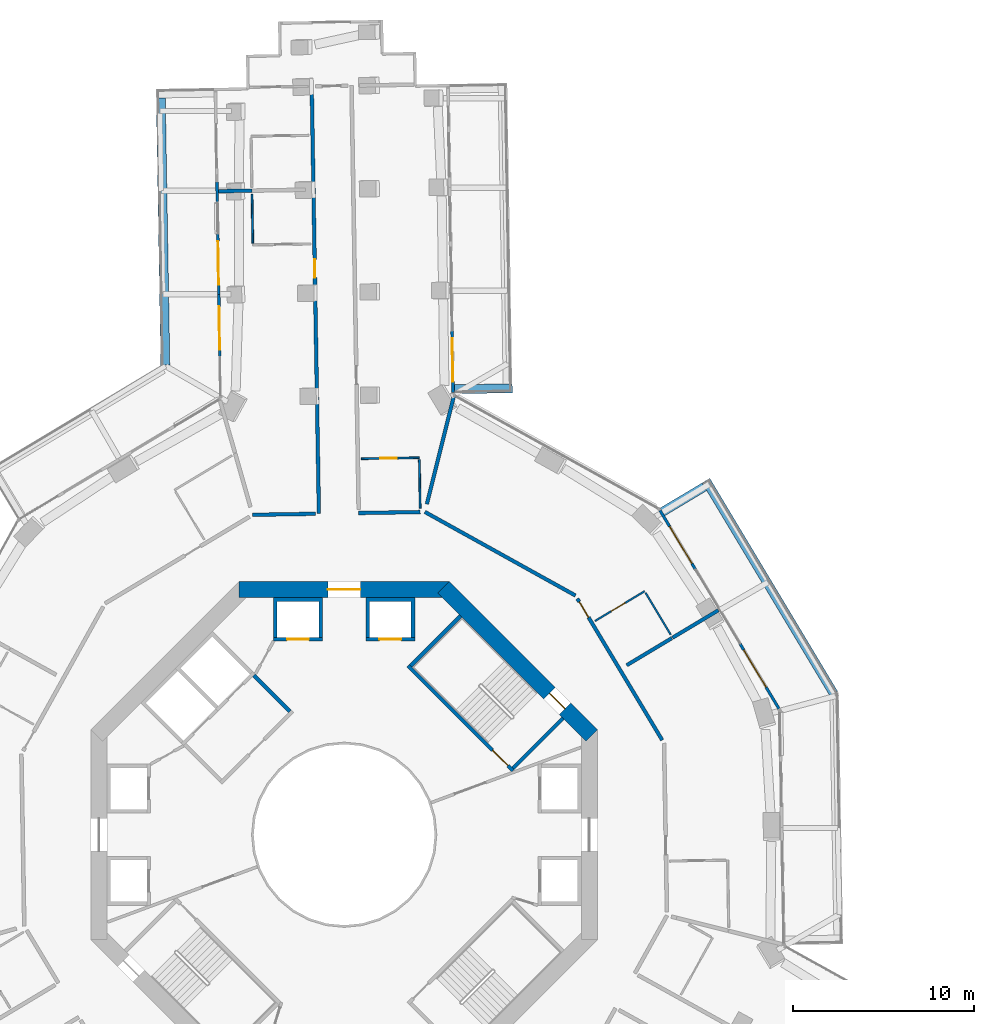
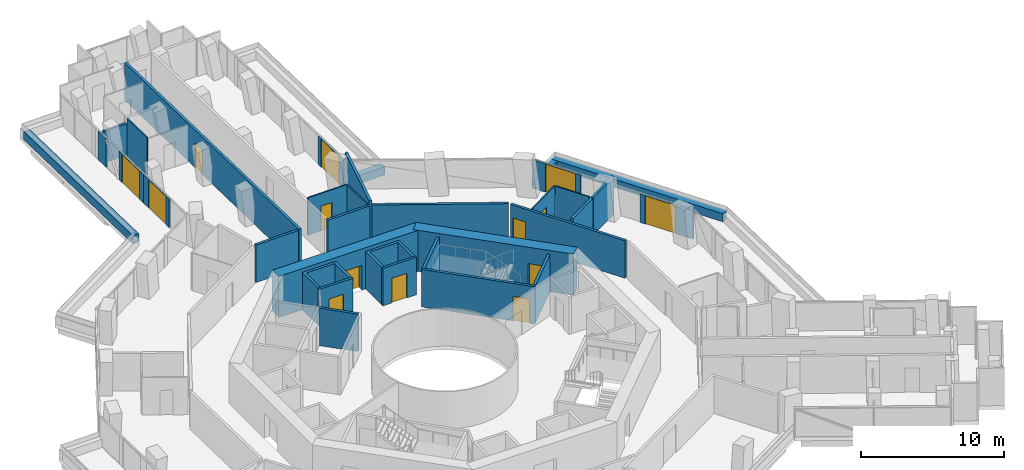
# One storey, part 21 of 25: 34 walls, 14 doors, 14 openings.
"""IFC4 building model written with IfcOpenShell, lengths in metres."""

from ifc_helpers import new_model, si_unit, direction, frame, frame_2d, origin, place, context, subcontext, project, spatial, polyline, rectangle, outline, extrude, material, layer, layer_set, type_object, element, fill, save


model = new_model("IFC4")

# Units and contexts
model_context = context("Model", 3, precision=1e-05, world=origin(), true_north=direction((0.0, 1.0)))
body_context = subcontext(model_context, "Body", "Model", "MODEL_VIEW")
ifc_project = project(units=[si_unit("LENGTHUNIT", "METRE"), si_unit("AREAUNIT", "SQUARE_METRE"), si_unit("VOLUMEUNIT", "CUBIC_METRE"), si_unit("PLANEANGLEUNIT", "RADIAN"), si_unit("MASSUNIT", "GRAM", prefix="KILO")], contexts=[model_context])

# Site, building, storey
site_placement = place(None, origin())
site = spatial("IfcSite", under=ifc_project, at=site_placement, CompositionType="ELEMENT")
building_placement = place(site_placement, origin())
building = spatial("IfcBuilding", under=site, at=building_placement, Name="Verdalira Terraces Hotel", CompositionType="ELEMENT")
storey_placement = place(building_placement, frame((0.0, 0.0, 39.0)))
storey = spatial("IfcBuildingStorey", under=building, at=storey_placement, Name="L07", CompositionType="ELEMENT", Elevation=39.0)

# Walls
ifc_material_1 = material(Name="Concrete C40", Category="concrete")
ifc_layer_1 = layer(ifc_material_1, 0.5)
ifc_layer_set_1 = layer_set([ifc_layer_1], Name="Balcony planter trough with tree")
wall_type_1 = type_object("IfcWallType", Name="Balcony planter trough with tree", PredefinedType="SOLIDWALL", material=ifc_layer_set_1)
wall_1_placement = place(storey_placement, frame((-10.133545, 40.711182, 0.0), z_axis=(0.0, 0.0, 1.0), x_axis=(0.016761578, -0.999859515, 0.0)))
element("IfcWall", 1, at=wall_1_placement, inside=storey, type_object=wall_type_1, Name="Balcony planter", PredefinedType="SOLIDWALL", context=body_context, shape_type="SweptSolid", body=[
    extrude(rectangle(XDim=14.769287, YDim=0.5, at=frame_2d((7.384766, 0.0))), origin(), (0.0, 0.0, 1.0), 0.699951),
])
wall_2_placement = place(storey_placement, frame((27.047852, 7.802734, 0.0), z_axis=(0.0, 0.0, 1.0), x_axis=(-0.514432966, 0.857530596, 0.0)))
element("IfcWall", 2, at=wall_2_placement, inside=storey, type_object=wall_type_1, Name="Balcony planter", PredefinedType="SOLIDWALL", context=body_context, shape_type="SweptSolid", body=[
    extrude(rectangle(XDim=13.723389, YDim=0.5, at=frame_2d((6.861816, 0.0))), origin(), (0.0, 0.0, 1.0), 0.699951),
])
wall_3_placement = place(storey_placement, frame((19.902344, 19.228027, 0.0), z_axis=(0.0, 0.0, 1.0), x_axis=(-0.857532831, -0.514429241, 0.0)))
element("IfcWall", 3, at=wall_3_placement, inside=storey, type_object=wall_type_1, Name="Balcony planter", PredefinedType="SOLIDWALL", context=body_context, shape_type="SweptSolid", body=[
    extrude(rectangle(XDim=2.698975, YDim=0.5, at=frame_2d((1.349609, 0.0))), origin(), (0.0, 0.0, 1.0), 0.699951),
])
wall_4_placement = place(storey_placement, frame((6.089355, 24.61377, 0.0), z_axis=(0.0, 0.0, 1.0), x_axis=(0.999859055, 0.016788963, 0.0)))
element("IfcWall", 4, at=wall_4_placement, inside=storey, type_object=wall_type_1, Name="Balcony planter", PredefinedType="SOLIDWALL", context=body_context, shape_type="SweptSolid", body=[
    extrude(rectangle(XDim=3.199219, YDim=0.5, at=frame_2d((1.599609, 0.0))), origin(), (0.0, 0.0, 1.0), 0.699951),
])
ifc_material_2 = material(Name="Moisture-resistant gypsum board partition")
ifc_layer_2 = layer(ifc_material_2, 0.10009765625)
ifc_layer_set_2 = layer_set([ifc_layer_2], Name="Bathroom partition 100 mm")
wall_type_2 = type_object("IfcWallType", Name="Bathroom partition 100 mm", PredefinedType="PARTITIONING", material=ifc_layer_set_2)
wall_5_placement = place(storey_placement, frame((-5.04834, 32.689697, 0.0), z_axis=(0.0, 0.0, 1.0), x_axis=(-0.016729141, 0.999860058, 0.0)))
element("IfcWall", 5, at=wall_5_placement, inside=storey, type_object=wall_type_2, Name="Bathroom partition", PredefinedType="PARTITIONING", context=body_context, shape_type="SweptSolid", body=[
    extrude(rectangle(XDim=2.699951, YDim=0.100098, at=frame_2d((1.350098, 0.0))), origin(), (0.0, 0.0, 1.0), 3.189941),
])

# Wall, opening, door
wall_6_placement = place(storey_placement, frame((4.151611, 20.830811, 0.0), z_axis=(0.0, 0.0, 1.0), x_axis=(-0.999859141, -0.01678384, 0.0)))
wall_6 = element("IfcWall", 6, at=wall_6_placement, inside=storey, type_object=wall_type_2, Name="Bathroom partition", PredefinedType="PARTITIONING", context=body_context, shape_type="SweptSolid", body=[
    extrude(rectangle(XDim=3.200195, YDim=0.100098, at=frame_2d((1.600098, 0.0))), origin(), (0.0, 0.0, 1.0), 3.189941),
])
opening_1_placement = place(wall_6_placement, frame((1.25, 0.0, 0.0)))
opening_1 = element("IfcOpeningElement", 7, at=opening_1_placement, cuts=wall_6, Name="Opening L07-102", PredefinedType="OPENING", context=body_context, shape_type="SweptSolid", body=[
    extrude(rectangle(XDim=0.899902, YDim=2.100098, at=frame_2d((0.449951, 1.050049))), frame((0.0, 0.060059, 0.0), z_axis=(0.0, -1.0, 0.0), x_axis=(1.0, 0.0, 0.0)), (0.0, 0.0, 1.0), 0.120117),
])
ifc_material_3 = material(Name="Timber door", Category="wood")
door_type_1 = type_object("IfcDoorType", Name="Bathroom door 900 x 2100", OperationType="NOTDEFINED", PredefinedType="DOOR", material=ifc_material_3)
door_1_placement = place(opening_1_placement, origin())
door_1 = element("IfcDoor", 8, at=door_1_placement, inside=storey, type_object=door_type_1, Name="Bathroom door 0701", OperationType="SINGLE_SWING_LEFT", OverallHeight=2.10009765625, OverallWidth=0.89990234375, PredefinedType="DOOR", context=body_context, shape_type="SweptSolid", body=[
    extrude(rectangle(XDim=0.899902, YDim=2.100098, at=frame_2d((0.449951, 1.050049))), frame((0.0, 0.024902, 0.0), z_axis=(0.0, -1.0, 0.0), x_axis=(1.0, 0.0, 0.0)), (0.0, 0.0, 1.0), 0.050049),
])
fill(opening_1, door_1)

# Wall
wall_7_placement = place(storey_placement, frame((4.15332, 20.730713, 0.0), z_axis=(0.0, 0.0, 1.0), x_axis=(0.016729141, -0.999860058, 0.0)))
element("IfcWall", 9, at=wall_7_placement, inside=storey, type_object=wall_type_2, Name="Bathroom partition", PredefinedType="PARTITIONING", context=body_context, shape_type="SweptSolid", body=[
    extrude(rectangle(XDim=2.699951, YDim=0.100098, at=frame_2d((1.350098, 0.0))), origin(), (0.0, 0.0, 1.0), 3.189941),
])

# Wall, opening, door
wall_8_placement = place(storey_placement, frame((16.600586, 13.457275, 0.0), z_axis=(0.0, 0.0, 1.0), x_axis=(-0.857526582, -0.514439657, 0.0)))
wall_8 = element("IfcWall", 10, at=wall_8_placement, inside=storey, type_object=wall_type_2, Name="Bathroom partition", PredefinedType="PARTITIONING", context=body_context, shape_type="SweptSolid", body=[
    extrude(rectangle(XDim=3.199951, YDim=0.100098, at=frame_2d((1.600098, 0.0))), origin(), (0.0, 0.0, 1.0), 3.189941),
])
opening_2_placement = place(wall_8_placement, frame((1.25, 0.0, 0.0)))
opening_2 = element("IfcOpeningElement", 11, at=opening_2_placement, cuts=wall_8, Name="Opening L07-132", PredefinedType="OPENING", context=body_context, shape_type="SweptSolid", body=[
    extrude(rectangle(XDim=0.899902, YDim=2.100098, at=frame_2d((0.449951, 1.050049))), frame((0.0, 0.060059, 0.0), z_axis=(0.0, -1.0, 0.0), x_axis=(1.0, 0.0, 0.0)), (0.0, 0.0, 1.0), 0.120117),
])
door_2_placement = place(opening_2_placement, origin())
door_2 = element("IfcDoor", 12, at=door_2_placement, inside=storey, type_object=door_type_1, Name="Bathroom door 0715", OperationType="SINGLE_SWING_LEFT", OverallHeight=2.10009765625, OverallWidth=0.89990234375, PredefinedType="DOOR", context=body_context, shape_type="SweptSolid", body=[
    extrude(rectangle(XDim=0.899902, YDim=2.100098, at=frame_2d((0.449951, 1.050049))), frame((0.0, 0.024902, 0.0), z_axis=(0.0, -1.0, 0.0), x_axis=(1.0, 0.0, 0.0)), (0.0, 0.0, 1.0), 0.050049),
])
fill(opening_2, door_2)

# Walls
wall_9_placement = place(storey_placement, frame((16.6521, 13.371582, 0.0), z_axis=(0.0, 0.0, 1.0), x_axis=(0.514402672, -0.857548769, 0.0)))
element("IfcWall", 13, at=wall_9_placement, inside=storey, type_object=wall_type_2, Name="Bathroom partition", PredefinedType="PARTITIONING", context=body_context, shape_type="SweptSolid", body=[
    extrude(rectangle(XDim=2.699951, YDim=0.100098, at=frame_2d((1.350098, 0.0))), origin(), (0.0, 0.0, 1.0), 3.189941),
])
ifc_material_4 = material(Name="Concrete C50", Category="concrete")
ifc_layer_3 = layer(ifc_material_4, 0.199951171875)
ifc_layer_set_3 = layer_set([ifc_layer_3], Name="Core RC wall 200 C50")
wall_type_3 = type_object("IfcWallType", Name="Core RC wall 200 C50", PredefinedType="SOLIDWALL", material=ifc_layer_set_3)
wall_10_placement = place(storey_placement, origin())
element("IfcWall", 14, at=wall_10_placement, inside=storey, type_object=wall_type_3, Name="L07 shaft wall N1", PredefinedType="SOLIDWALL", context=body_context, shape_type="SweptSolid", body=[
    extrude(outline(polyline([(3.899902, 13.100098), (3.899902, 10.899902), (3.699951, 10.899902), (3.699951, 12.899902), (1.399902, 12.899902), (1.399902, 10.899902), (1.199951, 10.899902), (1.199951, 13.100098), (3.899902, 13.100098)])), origin(), (0.0, 0.0, 1.0), 3.189941),
])

# Wall, opening, door
wall_11_placement = place(storey_placement, frame((1.199951, 10.800049, 0.0), z_axis=(0.0, 0.0, 1.0), x_axis=(1.0, 0.0, 0.0)))
wall_11 = element("IfcWall", 15, at=wall_11_placement, inside=storey, type_object=wall_type_3, Name="L07 shaft front wall N1", PredefinedType="SOLIDWALL", context=body_context, shape_type="SweptSolid", body=[
    extrude(rectangle(XDim=2.699951, YDim=0.199951, at=frame_2d((1.350098, 0.0))), origin(), (0.0, 0.0, 1.0), 3.189941),
])
opening_3_placement = place(wall_11_placement, frame((0.75, 0.0, 0.0)))
opening_3 = element("IfcOpeningElement", 16, at=opening_3_placement, cuts=wall_11, Name="Opening LD-L07-803", PredefinedType="OPENING", context=body_context, shape_type="SweptSolid", body=[
    extrude(rectangle(XDim=1.199951, YDim=2.100098, at=frame_2d((0.600098, 1.050049))), frame((0.0, 0.109863, 0.0), z_axis=(0.0, -1.0, 0.0), x_axis=(1.0, 0.0, 0.0)), (0.0, 0.0, 1.0), 0.219971),
])
ifc_material_5 = material(Name="Stainless steel", Category="steel")
door_type_2 = type_object("IfcDoorType", Name="Landing door 1200 x 2100", OperationType="NOTDEFINED", PredefinedType="DOOR", material=ifc_material_5)
door_3_placement = place(opening_3_placement, origin())
door_3 = element("IfcDoor", 17, at=door_3_placement, inside=storey, type_object=door_type_2, Name="Lift landing door LR3 L07", OperationType="DOUBLE_DOOR_SLIDING", OverallHeight=2.10009765625, OverallWidth=1.199951171875, PredefinedType="DOOR", context=body_context, shape_type="SweptSolid", body=[
    extrude(rectangle(XDim=1.199951, YDim=2.100098, at=frame_2d((0.600098, 1.050049))), frame((0.0, 0.024902, 0.0), z_axis=(0.0, -1.0, 0.0), x_axis=(1.0, 0.0, 0.0)), (0.0, 0.0, 1.0), 0.050049),
])
fill(opening_3, door_3)

# Wall
wall_12_placement = place(storey_placement, origin())
element("IfcWall", 18, at=wall_12_placement, inside=storey, type_object=wall_type_3, Name="L07 shaft wall N2", PredefinedType="SOLIDWALL", context=body_context, shape_type="SweptSolid", body=[
    extrude(outline(polyline([(-3.899902, 10.899902), (-3.899902, 13.100098), (-1.199951, 13.100098), (-1.199951, 10.899902), (-1.399902, 10.899902), (-1.399902, 12.899902), (-3.699951, 12.899902), (-3.699951, 10.899902), (-3.899902, 10.899902)])), origin(), (0.0, 0.0, 1.0), 3.189941),
])

# Wall, opening, door
wall_13_placement = place(storey_placement, frame((-1.199951, 10.800049, 0.0), z_axis=(0.0, 0.0, 1.0), x_axis=(-1.0, 0.0, 0.0)))
wall_13 = element("IfcWall", 19, at=wall_13_placement, inside=storey, type_object=wall_type_3, Name="L07 shaft front wall N2", PredefinedType="SOLIDWALL", context=body_context, shape_type="SweptSolid", body=[
    extrude(rectangle(XDim=2.699951, YDim=0.199951, at=frame_2d((1.350098, 0.0))), origin(), (0.0, 0.0, 1.0), 3.189941),
])
opening_4_placement = place(wall_13_placement, frame((0.75, 0.0, 0.0)))
opening_4 = element("IfcOpeningElement", 20, at=opening_4_placement, cuts=wall_13, Name="Opening LD-L07-804", PredefinedType="OPENING", context=body_context, shape_type="SweptSolid", body=[
    extrude(rectangle(XDim=1.199951, YDim=2.100098, at=frame_2d((0.600098, 1.050049))), frame((0.0, 0.109863, 0.0), z_axis=(0.0, -1.0, 0.0), x_axis=(1.0, 0.0, 0.0)), (0.0, 0.0, 1.0), 0.219971),
])
door_4_placement = place(opening_4_placement, origin())
door_4 = element("IfcDoor", 21, at=door_4_placement, inside=storey, type_object=door_type_2, Name="Lift landing door LR4 L07", OperationType="DOUBLE_DOOR_SLIDING", OverallHeight=2.10009765625, OverallWidth=1.199951171875, PredefinedType="DOOR", context=body_context, shape_type="SweptSolid", body=[
    extrude(rectangle(XDim=1.199951, YDim=2.100098, at=frame_2d((0.600098, 1.050049))), frame((0.0, 0.024902, 0.0), z_axis=(0.0, -1.0, 0.0), x_axis=(1.0, 0.0, 0.0)), (0.0, 0.0, 1.0), 0.050049),
])
fill(opening_4, door_4)

wall_14_placement = place(storey_placement, frame((3.5354, 9.33374, 0.0), z_axis=(0.0, 0.0, 1.0), x_axis=(0.707106781, -0.707106781, 0.0)))
wall_14 = element("IfcWall", 22, at=wall_14_placement, inside=storey, type_object=wall_type_3, Name="L07 stair ST1 front wall", PredefinedType="SOLIDWALL", context=body_context, shape_type="SweptSolid", body=[
    extrude(rectangle(XDim=8.200195, YDim=0.199951, at=frame_2d((4.100098, 0.0))), origin(), (0.0, 0.0, 1.0), 3.189941),
])
opening_5_placement = place(wall_14_placement, frame((6.600098, 0.0, 0.0)))
opening_5 = element("IfcOpeningElement", 23, at=opening_5_placement, cuts=wall_14, Name="Opening L07-809", PredefinedType="OPENING", context=body_context, shape_type="SweptSolid", body=[
    extrude(rectangle(XDim=1.199951, YDim=2.100098, at=frame_2d((0.600098, 1.050049))), frame((0.0, 0.109863, 0.0), z_axis=(0.0, -1.0, 0.0), x_axis=(1.0, 0.0, 0.0)), (0.0, 0.0, 1.0), 0.219971),
])
ifc_material_6 = material(Name="Steel fire door", Category="steel")
door_type_3 = type_object("IfcDoorType", Name="Stair door 1200 x 2100", OperationType="NOTDEFINED", PredefinedType="DOOR", material=ifc_material_6)
door_5_placement = place(opening_5_placement, origin())
door_5 = element("IfcDoor", 24, at=door_5_placement, inside=storey, type_object=door_type_3, Name="Stair door ST1 L07", OperationType="SINGLE_SWING_RIGHT", OverallHeight=2.10009765625, OverallWidth=1.199951171875, PredefinedType="DOOR", context=body_context, shape_type="SweptSolid", body=[
    extrude(rectangle(XDim=1.199951, YDim=2.100098, at=frame_2d((0.600098, 1.050049))), frame((0.0, 0.024902, 0.0), z_axis=(0.0, -1.0, 0.0), x_axis=(1.0, 0.0, 0.0)), (0.0, 0.0, 1.0), 0.050049),
])
fill(opening_5, door_5)

# Walls
for number, where, z_axis, x_axis, name in (
    (25, (9.33374, 3.677002, 0.0), (0.0, 0.0, 1.0), (0.707106781, 0.707106781, 0.0), "L07 stair ST1 end wall 1"),
    (26, (3.677002, 9.33374, 0.0), (0.0, 0.0, 1.0), (0.707106781, 0.707106781, 0.0), "L07 stair ST1 end wall 2"),
):
    element("IfcWall", number, at=place(storey_placement, frame(where, z_axis=z_axis, x_axis=x_axis)), inside=storey, type_object=wall_type_3, Name=name, PredefinedType="SOLIDWALL", context=body_context, shape_type="SweptSolid", body=[
        extrude(rectangle(XDim=3.900146, YDim=0.199951, at=frame_2d((1.950195, 0.0))), origin(), (0.0, 0.0, 1.0), 3.189941),
    ])
wall_15_placement = place(storey_placement, frame((-3.005127, 6.823486, 0.0), z_axis=(0.0, 0.0, 1.0), x_axis=(-0.707106781, 0.707106781, 0.0)))
element("IfcWall", 27, at=wall_15_placement, inside=storey, type_object=wall_type_3, Name="L07 fire lobby wall", PredefinedType="SOLIDWALL", context=body_context, shape_type="SweptSolid", body=[
    extrude(rectangle(XDim=2.800049, YDim=0.199951, at=frame_2d((1.399902, 0.0))), origin(), (0.0, 0.0, 1.0), 3.189941),
])

# Wall, opening, door
ifc_material_7 = material(Name="Concrete C70", Category="concrete")
ifc_layer_4 = layer(ifc_material_7, 0.89990234375)
ifc_layer_set_4 = layer_set([ifc_layer_4], Name="Core wall 900 C70")
wall_type_4 = type_object("IfcWallType", Name="Core wall 900 C70", PredefinedType="SHEAR", material=ifc_layer_set_4)
wall_16_placement = place(storey_placement, frame((13.681885, 5.480713, 0.0), z_axis=(0.0, 0.0, 1.0), x_axis=(-0.707106781, 0.707106781, 0.0)))
wall_16 = element("IfcWall", 28, at=wall_16_placement, inside=storey, type_object=wall_type_4, Name="Core wall CW-L07-2", PredefinedType="SHEAR", context=body_context, shape_type="SweptSolid", body=[
    extrude(rectangle(XDim=11.598145, YDim=0.899902, at=frame_2d((5.799072, 0.0))), origin(), (0.0, 0.0, 1.0), 3.5),
])
opening_6_placement = place(wall_16_placement, frame((2.099121, 0.0, 0.0)))
opening_6 = element("IfcOpeningElement", 29, at=opening_6_placement, cuts=wall_16, Name="Opening L07-816", PredefinedType="OPENING", context=body_context, shape_type="SweptSolid", body=[
    extrude(rectangle(XDim=1.199951, YDim=2.100098, at=frame_2d((0.600098, 1.050049))), frame((0.0, 0.459961, 0.0), z_axis=(0.0, -1.0, 0.0), x_axis=(1.0, 0.0, 0.0)), (0.0, 0.0, 1.0), 0.919922),
])
door_6_placement = place(opening_6_placement, origin())
door_6 = element("IfcDoor", 30, at=door_6_placement, inside=storey, type_object=door_type_3, Name="Stair exit door ST1 L07", OperationType="SINGLE_SWING_LEFT", OverallHeight=2.10009765625, OverallWidth=1.199951171875, PredefinedType="DOOR", context=body_context, shape_type="SweptSolid", body=[
    extrude(rectangle(XDim=1.199951, YDim=2.100098, at=frame_2d((0.600098, 1.050049))), frame((0.0, 0.024902, 0.0), z_axis=(0.0, -1.0, 0.0), x_axis=(1.0, 0.0, 0.0)), (0.0, 0.0, 1.0), 0.050049),
])
fill(opening_6, door_6)

wall_17_placement = place(storey_placement, frame((5.799072, 13.550049, 0.0), z_axis=(0.0, 0.0, 1.0), x_axis=(-1.0, 0.0, 0.0)))
wall_17 = element("IfcWall", 31, at=wall_17_placement, inside=storey, type_object=wall_type_4, Name="Core wall CW-L07-3", PredefinedType="SHEAR", context=body_context, shape_type="SweptSolid", body=[
    extrude(rectangle(XDim=11.598145, YDim=0.899902, at=frame_2d((5.799072, 0.0))), origin(), (0.0, 0.0, 1.0), 3.5),
])
opening_7_placement = place(wall_17_placement, frame((4.898926, 0.0, 0.0)))
opening_7 = element("IfcOpeningElement", 32, at=opening_7_placement, cuts=wall_17, Name="Opening L07-813", PredefinedType="OPENING", context=body_context, shape_type="SweptSolid", body=[
    extrude(rectangle(XDim=1.800049, YDim=2.100098, at=frame_2d((0.899902, 1.050049))), frame((0.0, 0.459961, 0.0), z_axis=(0.0, -1.0, 0.0), x_axis=(1.0, 0.0, 0.0)), (0.0, 0.0, 1.0), 0.919922),
])
ifc_material_8 = material(Name="Steel fire door", Category="steel")
door_type_4 = type_object("IfcDoorType", Name="Core entry door pair 1800 x 2100", OperationType="NOTDEFINED", PredefinedType="DOOR", material=ifc_material_8)
door_7_placement = place(opening_7_placement, origin())
door_7 = element("IfcDoor", 33, at=door_7_placement, inside=storey, type_object=door_type_4, Name="Core entry door L07 2", OperationType="DOUBLE_DOOR_SINGLE_SWING", OverallHeight=2.10009765625, OverallWidth=1.800048828125, PredefinedType="DOOR", context=body_context, shape_type="SweptSolid", body=[
    extrude(rectangle(XDim=1.800049, YDim=2.100098, at=frame_2d((0.899902, 1.050049))), frame((0.0, 0.024902, 0.0), z_axis=(0.0, -1.0, 0.0), x_axis=(1.0, 0.0, 0.0)), (0.0, 0.0, 1.0), 0.050049),
])
fill(opening_7, door_7)

# Walls
ifc_material_9 = material(Name="Fire-rated gypsum board wall")
ifc_layer_5 = layer(ifc_material_9, 0.199951171875)
ifc_layer_set_5 = layer_set([ifc_layer_5], Name="Demising wall 200 mm")
wall_type_5 = type_object("IfcWallType", Name="Demising wall 200 mm", PredefinedType="SOLIDWALL", material=ifc_layer_set_5)
wall_18_placement = place(storey_placement, frame((6.056396, 24.218262, 0.0), z_axis=(0.0, 0.0, 1.0), x_axis=(-0.242629305, -0.970119075, 0.0)))
element("IfcWall", 34, at=wall_18_placement, inside=storey, type_object=wall_type_5, Name="Demising wall", PredefinedType="SOLIDWALL", context=body_context, shape_type="SweptSolid", body=[
    extrude(rectangle(XDim=6.13208, YDim=0.199951, at=frame_2d((3.065918, 0.0))), origin(), (0.0, 0.0, 1.0), 3.189941),
])
wall_19_placement = place(storey_placement, frame((15.611816, 9.365723, 0.0), z_axis=(0.0, 0.0, 1.0), x_axis=(0.857522588, 0.514446316, 0.0)))
element("IfcWall", 35, at=wall_19_placement, inside=storey, type_object=wall_type_5, Name="Demising wall", PredefinedType="SOLIDWALL", context=body_context, shape_type="SweptSolid", body=[
    extrude(rectangle(XDim=2.904785, YDim=0.199951, at=frame_2d((1.452393, 0.0))), origin(), (0.0, 0.0, 1.0), 3.189941),
])
wall_20_placement = place(storey_placement, frame((18.14209, 10.883789, 0.0), z_axis=(0.0, 0.0, 1.0), x_axis=(0.857544003, 0.514410618, 0.0)))
element("IfcWall", 36, at=wall_20_placement, inside=storey, type_object=wall_type_5, Name="Demising wall", PredefinedType="SOLIDWALL", context=body_context, shape_type="SweptSolid", body=[
    extrude(rectangle(XDim=2.952148, YDim=0.199951, at=frame_2d((1.476074, 0.0))), origin(), (0.0, 0.0, 1.0), 3.189941),
])
ifc_material_10 = material(Name="Fire-rated gypsum board wall")
ifc_layer_6 = layer(ifc_material_10, 0.199951171875)
ifc_layer_set_6 = layer_set([ifc_layer_6], Name="Demising wall 200 mm to beam soffit")
wall_type_6 = type_object("IfcWallType", Name="Demising wall 200 mm to beam soffit", PredefinedType="SOLIDWALL", material=ifc_layer_set_6)
wall_21_placement = place(storey_placement, frame((-5.096924, 35.589111, 0.0), z_axis=(0.0, 0.0, 1.0), x_axis=(-0.99985956, -0.016758897, 0.0)))
element("IfcWall", 37, at=wall_21_placement, inside=storey, type_object=wall_type_6, Name="Demising wall", PredefinedType="SOLIDWALL", context=body_context, shape_type="SweptSolid", body=[
    extrude(rectangle(XDim=1.850098, YDim=0.199951, at=frame_2d((0.925049, 0.0))), origin(), (0.0, 0.0, 1.0), 2.689941),
])
ifc_material_11 = material(Name="Fire-rated gypsum board wall")
ifc_layer_7 = layer(ifc_material_11, 0.199951171875)
ifc_layer_set_7 = layer_set([ifc_layer_7], Name="Guest corridor wall 200 mm")
wall_type_7 = type_object("IfcWallType", Name="Guest corridor wall 200 mm", PredefinedType="SOLIDWALL", material=ifc_layer_set_7)
wall_22_placement = place(storey_placement, frame((-1.597412, 17.734131, 0.0), z_axis=(0.0, 0.0, 1.0), x_axis=(-0.999858837, -0.016801977, 0.0)))
element("IfcWall", 38, at=wall_22_placement, inside=storey, type_object=wall_type_7, Name="Guest corridor wall", PredefinedType="SOLIDWALL", context=body_context, shape_type="SweptSolid", body=[
    extrude(rectangle(XDim=3.458252, YDim=0.199951, at=frame_2d((1.729004, 0.0))), origin(), (0.0, 0.0, 1.0), 3.189941),
])

# Wall, opening, door
wall_23_placement = place(storey_placement, frame((-1.397461, 17.737549, 0.0), z_axis=(0.0, 0.0, 1.0), x_axis=(-0.016757192, 0.999859588, 0.0)))
wall_23 = element("IfcWall", 39, at=wall_23_placement, inside=storey, type_object=wall_type_7, Name="Guest corridor wall", PredefinedType="SOLIDWALL", context=body_context, shape_type="SweptSolid", body=[
    extrude(rectangle(XDim=23.616943, YDim=0.199951, at=frame_2d((11.808594, 0.0))), origin(), (0.0, 0.0, 1.0), 3.189941),
])
opening_8_placement = place(wall_23_placement, frame((13.050049, 0.0, 0.0)))
opening_8 = element("IfcOpeningElement", 40, at=opening_8_placement, cuts=wall_23, Name="Opening L07-106", PredefinedType="OPENING", context=body_context, shape_type="SweptSolid", body=[
    extrude(rectangle(XDim=1.0, YDim=2.100098, at=frame_2d((0.5, 1.050049))), frame((0.0, 0.109863, 0.0), z_axis=(0.0, -1.0, 0.0), x_axis=(1.0, 0.0, 0.0)), (0.0, 0.0, 1.0), 0.219971),
])
ifc_material_12 = material(Name="Timber fire door", Category="wood")
door_type_5 = type_object("IfcDoorType", Name="Guest entry door 1000 x 2100", OperationType="NOTDEFINED", PredefinedType="DOOR", material=ifc_material_12)
door_8_placement = place(opening_8_placement, origin())
door_8 = element("IfcDoor", 41, at=door_8_placement, inside=storey, type_object=door_type_5, Name="Guest entry door 0703", OperationType="SINGLE_SWING_LEFT", OverallHeight=2.10009765625, OverallWidth=1.0, PredefinedType="DOOR", context=body_context, shape_type="SweptSolid", body=[
    extrude(rectangle(XDim=1.0, YDim=2.100098, at=frame_2d((0.5, 1.050049))), frame((0.0, 0.024902, 0.0), z_axis=(0.0, -1.0, 0.0), x_axis=(1.0, 0.0, 0.0)), (0.0, 0.0, 1.0), 0.050049),
])
fill(opening_8, door_8)

# Walls
wall_24_placement = place(storey_placement, frame((4.201904, 17.831299, 0.0), z_axis=(0.0, 0.0, 1.0), x_axis=(-0.999860021, -0.016731355, 0.0)))
element("IfcWall", 42, at=wall_24_placement, inside=storey, type_object=wall_type_7, Name="Guest corridor wall", PredefinedType="SOLIDWALL", context=body_context, shape_type="SweptSolid", body=[
    extrude(rectangle(XDim=3.399902, YDim=0.199951, at=frame_2d((1.699951, 0.0))), origin(), (0.0, 0.0, 1.0), 3.189941),
])
wall_25_placement = place(storey_placement, frame((12.779785, 13.216309, 0.0), z_axis=(0.0, 0.0, 1.0), x_axis=(-0.874284317, 0.485414188, 0.0)))
element("IfcWall", 43, at=wall_25_placement, inside=storey, type_object=wall_type_7, Name="Guest corridor wall", PredefinedType="SOLIDWALL", context=body_context, shape_type="SweptSolid", body=[
    extrude(rectangle(XDim=9.515869, YDim=0.199951, at=frame_2d((4.757812, 0.0))), origin(), (0.0, 0.0, 1.0), 3.189941),
])

# Wall, opening, door
wall_26_placement = place(storey_placement, frame((12.883545, 13.043945, 0.0), z_axis=(0.0, 0.0, 1.0), x_axis=(0.514452429, -0.85751892, 0.0)))
wall_26 = element("IfcWall", 44, at=wall_26_placement, inside=storey, type_object=wall_type_7, Name="Guest corridor wall", PredefinedType="SOLIDWALL", context=body_context, shape_type="SweptSolid", body=[
    extrude(rectangle(XDim=9.115479, YDim=0.199951, at=frame_2d((4.557617, 0.0))), origin(), (0.0, 0.0, 1.0), 3.189941),
])
opening_9_placement = place(wall_26_placement, frame((0.199951, 0.0, 0.0)))
opening_9 = element("IfcOpeningElement", 45, at=opening_9_placement, cuts=wall_26, Name="Opening L07-131", PredefinedType="OPENING", context=body_context, shape_type="SweptSolid", body=[
    extrude(rectangle(XDim=1.0, YDim=2.100098, at=frame_2d((0.5, 1.050049))), frame((0.0, 0.109863, 0.0), z_axis=(0.0, -1.0, 0.0), x_axis=(1.0, 0.0, 0.0)), (0.0, 0.0, 1.0), 0.219971),
])
door_9_placement = place(opening_9_placement, origin())
door_9 = element("IfcDoor", 46, at=door_9_placement, inside=storey, type_object=door_type_5, Name="Guest entry door 0715", OperationType="SINGLE_SWING_LEFT", OverallHeight=2.10009765625, OverallWidth=1.0, PredefinedType="DOOR", context=body_context, shape_type="SweptSolid", body=[
    extrude(rectangle(XDim=1.0, YDim=2.100098, at=frame_2d((0.5, 1.050049))), frame((0.0, 0.024902, 0.0), z_axis=(0.0, -1.0, 0.0), x_axis=(1.0, 0.0, 0.0)), (0.0, 0.0, 1.0), 0.050049),
])
fill(opening_9, door_9)

# Wall
ifc_material_13 = material(Name="Terracotta cladding", Category="masonry")
ifc_layer_8 = layer(ifc_material_13, 0.14990234375)
ifc_layer_set_8 = layer_set([ifc_layer_8], Name="Terracotta column pier 150")
wall_type_8 = type_object("IfcWallType", Name="Terracotta column pier 150", PredefinedType="SOLIDWALL", material=ifc_layer_set_8)
wall_27_placement = place(storey_placement, frame((-7.030029, 36.056885, 0.0), z_axis=(0.0, 0.0, 1.0), x_axis=(0.01662837, -0.999861739, 0.0)))
element("IfcWall", 47, at=wall_27_placement, inside=storey, type_object=wall_type_8, Name="Terracotta column pier", PredefinedType="SOLIDWALL", context=body_context, shape_type="SweptSolid", body=[
    extrude(rectangle(XDim=1.130615, YDim=0.149902, at=frame_2d((0.56543, 0.0))), origin(), (0.0, 0.0, 1.0), 2.425049),
])

# Wall, opening, door
ifc_material_14 = material(Name="Terracotta cladding", Category="masonry")
ifc_layer_9 = layer(ifc_material_14, 0.14990234375)
ifc_layer_set_9 = layer_set([ifc_layer_9], Name="Terracotta door pier 150")
wall_type_9 = type_object("IfcWallType", Name="Terracotta door pier 150", PredefinedType="SOLIDWALL", material=ifc_layer_set_9)
wall_28_placement = place(storey_placement, frame((6.016602, 24.432617, 0.0), z_axis=(0.0, 0.0, 1.0), x_axis=(-0.016793497, 0.999858979, 0.0)))
wall_28 = element("IfcWall", 48, at=wall_28_placement, inside=storey, type_object=wall_type_9, Name="Terracotta door pier", PredefinedType="SOLIDWALL", context=body_context, shape_type="SweptSolid", body=[
    extrude(rectangle(XDim=3.401855, YDim=0.149902, at=frame_2d((1.700928, 0.0))), origin(), (0.0, 0.0, 1.0), 2.425049),
])
opening_10_placement = place(wall_28_placement, frame((0.601807, 0.0, 0.0)))
opening_10 = element("IfcOpeningElement", 49, at=opening_10_placement, cuts=wall_28, Name="Opening L07-B01", PredefinedType="OPENING", context=body_context, shape_type="SweptSolid", body=[
    extrude(rectangle(XDim=2.399902, YDim=2.399902, at=frame_2d((1.199951, 1.199951))), frame((0.0, 0.084961, 0.0), z_axis=(0.0, -1.0, 0.0), x_axis=(1.0, 0.0, 0.0)), (0.0, 0.0, 1.0), 0.169922),
])
ifc_material_15 = material(Name="Clear glass", Category="glass")
door_type_6 = type_object("IfcDoorType", Name="Balcony sliding door 2400x2400", OperationType="NOTDEFINED", PredefinedType="DOOR", material=ifc_material_15)
door_10_placement = place(opening_10_placement, origin())
door_10 = element("IfcDoor", 50, at=door_10_placement, inside=storey, type_object=door_type_6, Name="Balcony sliding door", OperationType="SLIDING_TO_LEFT", OverallHeight=2.39990234375, OverallWidth=2.39990234375, PredefinedType="DOOR", context=body_context, shape_type="SweptSolid", body=[
    extrude(rectangle(XDim=2.399902, YDim=2.399902, at=frame_2d((1.199951, 1.199951))), frame((0.0, 0.024902, 0.0), z_axis=(0.0, -1.0, 0.0), x_axis=(1.0, 0.0, 0.0)), (0.0, 0.0, 1.0), 0.050049),
])
fill(opening_10, door_10)

wall_29_placement = place(storey_placement, frame((-6.982178, 33.20166, 0.0), z_axis=(0.0, 0.0, 1.0), x_axis=(0.016761493, -0.999859516, 0.0)))
wall_29 = element("IfcWall", 51, at=wall_29_placement, inside=storey, type_object=wall_type_9, Name="Terracotta door pier", PredefinedType="SOLIDWALL", context=body_context, shape_type="SweptSolid", body=[
    extrude(rectangle(XDim=3.350098, YDim=0.149902, at=frame_2d((1.675049, 0.0))), origin(), (0.0, 0.0, 1.0), 2.425049),
])
opening_11_placement = place(wall_29_placement, frame((0.399902, 0.0, 0.0)))
opening_11 = element("IfcOpeningElement", 52, at=opening_11_placement, cuts=wall_29, Name="Opening L07-B05", PredefinedType="OPENING", context=body_context, shape_type="SweptSolid", body=[
    extrude(rectangle(XDim=2.399902, YDim=2.399902, at=frame_2d((1.199951, 1.199951))), frame((0.0, 0.084961, 0.0), z_axis=(0.0, -1.0, 0.0), x_axis=(1.0, 0.0, 0.0)), (0.0, 0.0, 1.0), 0.169922),
])
door_11_placement = place(opening_11_placement, origin())
door_11 = element("IfcDoor", 53, at=door_11_placement, inside=storey, type_object=door_type_6, Name="Balcony sliding door", OperationType="SLIDING_TO_RIGHT", OverallHeight=2.39990234375, OverallWidth=2.39990234375, PredefinedType="DOOR", context=body_context, shape_type="SweptSolid", body=[
    extrude(rectangle(XDim=2.399902, YDim=2.399902, at=frame_2d((1.199951, 1.199951))), frame((0.0, 0.024902, 0.0), z_axis=(0.0, -1.0, 0.0), x_axis=(1.0, 0.0, 0.0)), (0.0, 0.0, 1.0), 0.050049),
])
fill(opening_11, door_11)

wall_30_placement = place(storey_placement, frame((-6.926025, 29.852051, 0.0), z_axis=(0.0, 0.0, 1.0), x_axis=(0.01673022, -0.99986004, 0.0)))
wall_30 = element("IfcWall", 54, at=wall_30_placement, inside=storey, type_object=wall_type_9, Name="Terracotta door pier", PredefinedType="SOLIDWALL", context=body_context, shape_type="SweptSolid", body=[
    extrude(rectangle(XDim=3.458496, YDim=0.149902, at=frame_2d((1.729248, 0.0))), origin(), (0.0, 0.0, 1.0), 2.425049),
])
opening_12_placement = place(wall_30_placement, frame((0.658691, 0.0, 0.0)))
opening_12 = element("IfcOpeningElement", 55, at=opening_12_placement, cuts=wall_30, Name="Opening L07-B06", PredefinedType="OPENING", context=body_context, shape_type="SweptSolid", body=[
    extrude(rectangle(XDim=2.399902, YDim=2.399902, at=frame_2d((1.199951, 1.199951))), frame((0.0, 0.084961, 0.0), z_axis=(0.0, -1.0, 0.0), x_axis=(1.0, 0.0, 0.0)), (0.0, 0.0, 1.0), 0.169922),
])
door_12_placement = place(opening_12_placement, origin())
door_12 = element("IfcDoor", 56, at=door_12_placement, inside=storey, type_object=door_type_6, Name="Balcony sliding door", OperationType="SLIDING_TO_LEFT", OverallHeight=2.39990234375, OverallWidth=2.39990234375, PredefinedType="DOOR", context=body_context, shape_type="SweptSolid", body=[
    extrude(rectangle(XDim=2.399902, YDim=2.399902, at=frame_2d((1.199951, 1.199951))), frame((0.0, 0.024902, 0.0), z_axis=(0.0, -1.0, 0.0), x_axis=(1.0, 0.0, 0.0)), (0.0, 0.0, 1.0), 0.050049),
])
fill(opening_12, door_12)

wall_31_placement = place(storey_placement, frame((24.030273, 6.952881, 0.0), z_axis=(0.0, 0.0, 1.0), x_axis=(-0.514487204, 0.857498056, 0.0)))
wall_31 = element("IfcWall", 57, at=wall_31_placement, inside=storey, type_object=wall_type_9, Name="Terracotta door pier", PredefinedType="SOLIDWALL", context=body_context, shape_type="SweptSolid", body=[
    extrude(rectangle(XDim=4.19873, YDim=0.149902, at=frame_2d((2.099365, 0.0))), origin(), (0.0, 0.0, 1.0), 2.425049),
])
opening_13_placement = place(wall_31_placement, frame((1.398682, 0.0, 0.0)))
opening_13 = element("IfcOpeningElement", 58, at=opening_13_placement, cuts=wall_31, Name="Opening L07-B20", PredefinedType="OPENING", context=body_context, shape_type="SweptSolid", body=[
    extrude(rectangle(XDim=2.399902, YDim=2.399902, at=frame_2d((1.199951, 1.199951))), frame((0.0, 0.084961, 0.0), z_axis=(0.0, -1.0, 0.0), x_axis=(1.0, 0.0, 0.0)), (0.0, 0.0, 1.0), 0.169922),
])
door_13_placement = place(opening_13_placement, origin())
door_13 = element("IfcDoor", 59, at=door_13_placement, inside=storey, type_object=door_type_6, Name="Balcony sliding door", OperationType="SLIDING_TO_LEFT", OverallHeight=2.39990234375, OverallWidth=2.39990234375, PredefinedType="DOOR", context=body_context, shape_type="SweptSolid", body=[
    extrude(rectangle(XDim=2.399902, YDim=2.399902, at=frame_2d((1.199951, 1.199951))), frame((0.0, 0.024902, 0.0), z_axis=(0.0, -1.0, 0.0), x_axis=(1.0, 0.0, 0.0)), (0.0, 0.0, 1.0), 0.050049),
])
fill(opening_13, door_13)

wall_32_placement = place(storey_placement, frame((19.421875, 14.634521, 0.0), z_axis=(0.0, 0.0, 1.0), x_axis=(-0.514430336, 0.857532174, 0.0)))
wall_32 = element("IfcWall", 60, at=wall_32_placement, inside=storey, type_object=wall_type_9, Name="Terracotta door pier", PredefinedType="SOLIDWALL", context=body_context, shape_type="SweptSolid", body=[
    extrude(rectangle(XDim=3.841797, YDim=0.149902, at=frame_2d((1.920898, 0.0))), origin(), (0.0, 0.0, 1.0), 2.425049),
])
opening_14_placement = place(wall_32_placement, frame((0.399902, 0.0, 0.0)))
opening_14 = element("IfcOpeningElement", 61, at=opening_14_placement, cuts=wall_32, Name="Opening L07-B21", PredefinedType="OPENING", context=body_context, shape_type="SweptSolid", body=[
    extrude(rectangle(XDim=2.399902, YDim=2.399902, at=frame_2d((1.199951, 1.199951))), frame((0.0, 0.084961, 0.0), z_axis=(0.0, -1.0, 0.0), x_axis=(1.0, 0.0, 0.0)), (0.0, 0.0, 1.0), 0.169922),
])
door_14_placement = place(opening_14_placement, origin())
door_14 = element("IfcDoor", 62, at=door_14_placement, inside=storey, type_object=door_type_6, Name="Balcony sliding door", OperationType="SLIDING_TO_RIGHT", OverallHeight=2.39990234375, OverallWidth=2.39990234375, PredefinedType="DOOR", context=body_context, shape_type="SweptSolid", body=[
    extrude(rectangle(XDim=2.399902, YDim=2.399902, at=frame_2d((1.199951, 1.199951))), frame((0.0, 0.024902, 0.0), z_axis=(0.0, -1.0, 0.0), x_axis=(1.0, 0.0, 0.0)), (0.0, 0.0, 1.0), 0.050049),
])
fill(opening_14, door_14)

save(model, "model.ifc")
